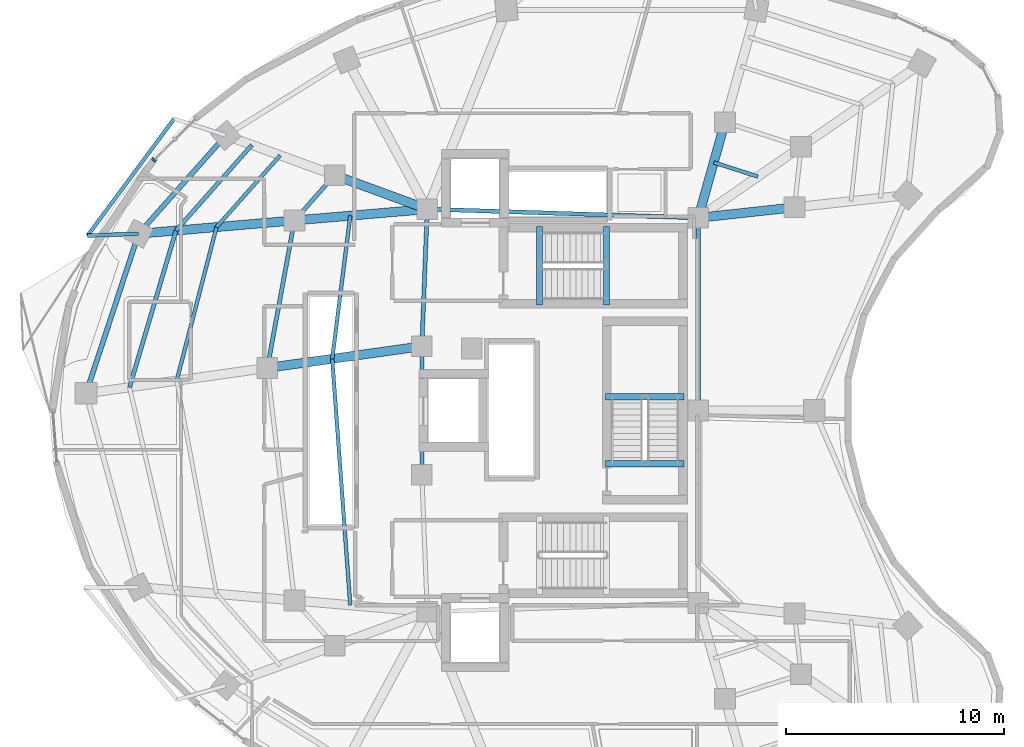
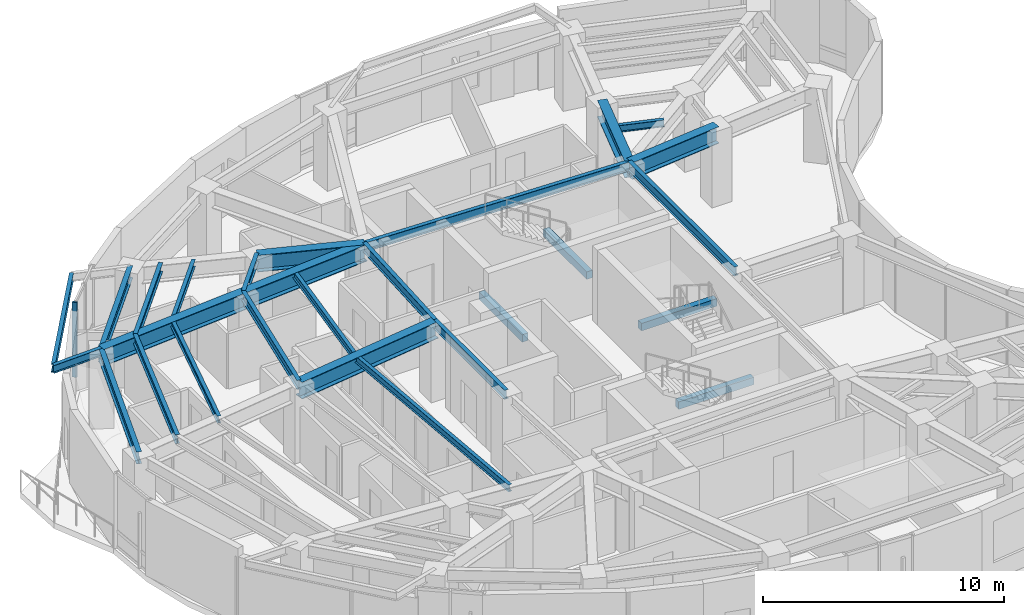
# One storey, part 3 of 13: 27 beams, 1 member, 1 element without a shape of its own.
"""IFC4 building model written with IfcOpenShell, lengths in metres."""

from ifc_helpers import new_model, si_unit, direction, frame, origin, origin_2d, place, context, subcontext, project, spatial, rectangle, i_section, extrude, material, layer, layer_set, material_profile, profile_set, type_object, element, aggregate, save


model = new_model("IFC4")

# Units and contexts
model_context = context("Model", 3, precision=1e-05, world=origin(), true_north=direction((0.0, 1.0)))
body_context = subcontext(model_context, "Body", "Model", "MODEL_VIEW")
ifc_project = project(units=[si_unit("LENGTHUNIT", "METRE"), si_unit("AREAUNIT", "SQUARE_METRE"), si_unit("VOLUMEUNIT", "CUBIC_METRE"), si_unit("PLANEANGLEUNIT", "RADIAN"), si_unit("MASSUNIT", "GRAM", prefix="KILO")], contexts=[model_context])

# Site, building, storey
site_placement = place(None, origin())
site = spatial("IfcSite", under=ifc_project, at=site_placement, CompositionType="ELEMENT")
building_placement = place(site_placement, origin())
building = spatial("IfcBuilding", under=site, at=building_placement, Name="Korentha Bioscience Tower", CompositionType="ELEMENT")
storey_placement = place(building_placement, frame((0.0, 0.0, 162.60009765625)))
storey = spatial("IfcBuildingStorey", under=building, at=storey_placement, Name="L37", CompositionType="ELEMENT", Elevation=162.60009765625)

# Beams
ifc_material_1 = material(Name="Concrete C50", Category="concrete")
ifc_material_profile_1 = material_profile(ifc_material_1, rectangle(XDim=0.280029296875, YDim=0.3798828125, at=origin_2d()), Name="Concrete C50")
ifc_profile_set_1 = profile_set([ifc_material_profile_1], Name="Concrete C50 (ST-HB380)")
beam_type_1 = type_object("IfcBeamType", Name="Concrete Stair Header Beam RC 280x380", PredefinedType="BEAM", material=ifc_profile_set_1)
for number, where, z_axis, x_axis, name in (
    (1, (30.25, 31.85009765625, -0.190185546875), (0.0, 1.0, 0.0), (-1.0, 0.0, 0.0), "L37 ST-1 Concrete Stair Header Beam"),
    (2, (33.330078125, 31.85009765625, 1.909912109375), (0.0, 1.0, 0.0), (-1.0, 0.0, 0.0), "L37 ST-1 Half-Landing Header Beam 1"),
    (3, (36.89990234375, 24.550048828125, -0.190185546875), (-1.0, 0.0, 0.0), (0.0, -1.0, 0.0), "L37 ST-3 Concrete Stair Header Beam"),
    (4, (36.89990234375, 27.6298828125, 1.909912109375), (-1.0, 0.0, 0.0), (0.0, -1.0, 0.0), "L37 ST-3 Half-Landing Header Beam 1"),
):
    element("IfcBeam", number, at=place(storey_placement, frame(where, z_axis=z_axis, x_axis=x_axis)), inside=storey, type_object=beam_type_1, Name=name, PredefinedType="BEAM", context=body_context, shape_type="SweptSolid", body=[
        extrude(rectangle(XDim=0.280029296875, YDim=0.3798828125, at=origin_2d()), origin(), (0.0, 0.0, 1.0), 3.599853515625),
    ])
ifc_material_2 = material(Name="Steel S355", Category="steel")
ifc_material_profile_2 = material_profile(ifc_material_2, i_section(OverallWidth=0.18994140625, OverallDepth=0.45703125, WebThickness=0.009033203125, FlangeThickness=0.014404296875, at=origin_2d()), Name="Steel S355")
ifc_profile_set_2 = profile_set([ifc_material_profile_2], Name="Steel S355 (MB-460)")
beam_type_2 = type_object("IfcBeamType", Name="Mid-Ring Tie Girder W460x74", PredefinedType="BEAM", material=ifc_profile_set_2)
beam_1_placement = place(storey_placement, frame((20.84228515625, 37.807861328125, 3.5615234375), z_axis=(-0.663512238321, -0.748165429299, 0.0), x_axis=(0.748165429299, -0.663512238321, 0.0)))
element("IfcBeam", 5, at=beam_1_placement, inside=storey, type_object=beam_type_2, Name="L37 Mid-Ring Tie Girder 05", PredefinedType="BEAM", context=body_context, shape_type="SweptSolid", body=[
    extrude(i_section(OverallWidth=0.18994140625, OverallDepth=0.45703125, WebThickness=0.009033203125, FlangeThickness=0.014404296875, at=origin_2d()), origin(), (0.0, 0.0, 1.0), 2.77734375),
])
beam_2_placement = place(storey_placement, frame((18.99951171875, 35.72998046875, 3.5615234375), z_axis=(-0.180880998363, -0.98350498953, 0.0), x_axis=(0.98350498953, -0.180880998363, 0.0)))
element("IfcBeam", 6, at=beam_2_placement, inside=storey, type_object=beam_type_2, Name="L37 Mid-Ring Tie Girder 06", PredefinedType="BEAM", context=body_context, shape_type="SweptSolid", body=[
    extrude(i_section(OverallWidth=0.18994140625, OverallDepth=0.45703125, WebThickness=0.009033203125, FlangeThickness=0.014404296875, at=origin_2d()), origin(), (0.0, 0.0, 1.0), 6.888916015625),
])
beam_3_placement = place(storey_placement, frame((37.550048828125, 35.85009765625, 3.5615234375), z_axis=(-0.999484526071, 0.032104238723, 0.0), x_axis=(-0.032104238723, -0.999484526071, 0.0)))
element("IfcBeam", 7, at=beam_3_placement, inside=storey, type_object=beam_type_2, Name="L37 Core Ring Tie Girder 01", PredefinedType="BEAM", context=body_context, shape_type="SweptSolid", body=[
    extrude(i_section(OverallWidth=0.18994140625, OverallDepth=0.45703125, WebThickness=0.009033203125, FlangeThickness=0.014404296875, at=origin_2d()), origin(), (0.0, 0.0, 1.0), 12.456298828125),
])
beam_4_placement = place(storey_placement, frame((25.10009765625, 36.25, 3.5615234375), z_axis=(-0.039651025576, -0.999213588864, 0.0), x_axis=(0.999213588864, -0.039651025576, 0.0)))
element("IfcBeam", 8, at=beam_4_placement, inside=storey, type_object=beam_type_2, Name="L37 Core Ring Tie Girder 02", PredefinedType="BEAM", context=body_context, shape_type="SweptSolid", body=[
    extrude(i_section(OverallWidth=0.18994140625, OverallDepth=0.45703125, WebThickness=0.009033203125, FlangeThickness=0.014404296875, at=origin_2d()), origin(), (0.0, 0.0, 1.0), 6.304931640625),
])
beam_5_placement = place(storey_placement, frame((24.85009765625, 29.949951171875, 3.5615234375), z_axis=(0.0, -1.0, 0.0), x_axis=(1.0, 0.0, 0.0)))
element("IfcBeam", 9, at=beam_5_placement, inside=storey, type_object=beam_type_2, Name="L37 Core Ring Tie Girder 03", PredefinedType="BEAM", context=body_context, shape_type="SweptSolid", body=[
    extrude(i_section(OverallWidth=0.18994140625, OverallDepth=0.45703125, WebThickness=0.009033203125, FlangeThickness=0.014404296875, at=origin_2d()), origin(), (0.0, 0.0, 1.0), 5.89990234375),
])
beam_6_placement = place(storey_placement, frame((37.550048828125, 27.0, 3.5615234375), z_axis=(0.0, 1.0, 0.0), x_axis=(-1.0, 0.0, 0.0)))
element("IfcBeam", 10, at=beam_6_placement, inside=storey, type_object=beam_type_2, Name="L37 Core Ring Tie Girder 07", PredefinedType="BEAM", context=body_context, shape_type="SweptSolid", body=[
    extrude(i_section(OverallWidth=0.18994140625, OverallDepth=0.45703125, WebThickness=0.009033203125, FlangeThickness=0.014404296875, at=origin_2d()), origin(), (0.0, 0.0, 1.0), 8.85009765625),
])

# Curtain wall, member
ifc_material_3 = material(Name="Thermally Broken Aluminium Frame", Category="aluminium")
ifc_layer = layer(ifc_material_3, 0.219970703125, Name="Thermally Broken Aluminium Frame")
ifc_layer_set = layer_set([ifc_layer], Name="Thermally Broken Aluminium Frame (CW-T1)")
curtain_wall_type = type_object("IfcCurtainWallType", Name="Standard Bioscience Lab Unitised Curtain Wall CW-T1", PredefinedType="USERDEFINED", material=ifc_layer_set)
curtain_wall_placement = place(storey_placement, origin())
curtain_wall = element("IfcCurtainWall", 11, at=curtain_wall_placement, inside=storey, type_object=curtain_wall_type, Name="L37 Curtain Wall 13", ObjectType="UNITISED", PredefinedType="USERDEFINED")
ifc_material_4 = material(Name="Anodised Aluminium 6063-T6", Category="aluminium")
ifc_material_profile_3 = material_profile(ifc_material_4, rectangle(XDim=0.090087890625, YDim=0.199951171875, at=origin_2d()), Name="Anodised Aluminium 6063-T6")
ifc_profile_set_3 = profile_set([ifc_material_profile_3], Name="Anodised Aluminium 6063-T6 (CW-MUL)")
member_type = type_object("IfcMemberType", Name="Mullion RECT 90x200", PredefinedType="MULLION", material=ifc_profile_set_3)
member_placement = place(storey_placement, frame((12.53515625, 38.502685546875, 0.0), z_axis=(0.0, 0.0, 1.0), x_axis=(-0.711460557971, -0.702726030862, 0.0)))
member = element("IfcMember", 12, at=member_placement, type_object=member_type, Name="CW-L37-13 Mullion 3", PredefinedType="MULLION", context=body_context, shape_type="SweptSolid", body=[
    extrude(rectangle(XDim=0.090087890625, YDim=0.199951171875, at=origin_2d()), origin(), (0.0, 0.0, 1.0), 3.789794921875),
])
aggregate(curtain_wall, [member])

# Beams
ifc_material_profile_4 = material_profile(ifc_material_2, i_section(OverallWidth=0.22802734375, OverallDepth=0.60791015625, WebThickness=0.01123046875, FlangeThickness=0.017333984375, at=origin_2d()), Name="Steel S355")
ifc_profile_set_4 = profile_set([ifc_material_profile_4], Name="Steel S355 (SB-610)")
beam_type_3 = type_object("IfcBeamType", Name="Perimeter Ring Spandrel Girder W610x113", PredefinedType="SPANDREL", material=ifc_profile_set_4)
beam_7_placement = place(storey_placement, frame((15.843994140625, 39.63671875, 3.48583984375), z_axis=(-0.663502544942, -0.748174025782, 0.0), x_axis=(0.748174025782, -0.663502544942, 0.0)))
element("IfcBeam", 13, at=beam_7_placement, inside=storey, type_object=beam_type_3, Name="L37 Perimeter Spandrel Girder 05", PredefinedType="SPANDREL", context=body_context, shape_type="SweptSolid", body=[
    extrude(i_section(OverallWidth=0.22802734375, OverallDepth=0.60791015625, WebThickness=0.01123046875, FlangeThickness=0.017333984375, at=origin_2d()), origin(), (0.0, 0.0, 1.0), 6.037841796875),
])
beam_8_placement = place(storey_placement, frame((11.837890625, 35.119384765625, 3.48583984375), z_axis=(-0.312820215824, -0.949812356506, 0.0), x_axis=(0.949812356506, -0.312820215824, 0.0)))
element("IfcBeam", 14, at=beam_8_placement, inside=storey, type_object=beam_type_3, Name="L37 Perimeter Spandrel Girder 06", PredefinedType="SPANDREL", context=body_context, shape_type="SweptSolid", body=[
    extrude(i_section(OverallWidth=0.22802734375, OverallDepth=0.60791015625, WebThickness=0.01123046875, FlangeThickness=0.017333984375, at=origin_2d()), origin(), (0.0, 0.0, 1.0), 7.720947265625),
])
ifc_material_profile_5 = material_profile(ifc_material_2, i_section(OverallWidth=0.419921875, OverallDepth=0.85009765625, WebThickness=0.01806640625, FlangeThickness=0.031982421875, at=origin_2d()), Name="Steel S355")
ifc_profile_set_5 = profile_set([ifc_material_profile_5], Name="Steel S355 (MB-850)")
beam_type_4 = type_object("IfcBeamType", Name="Plant Heavy Girder CVS 850x315", PredefinedType="BEAM", material=ifc_profile_set_5)
beam_9_placement = place(storey_placement, frame((37.550048828125, 35.85009765625, 3.364990234375), z_axis=(0.269477001654, 0.963006825303, 0.0), x_axis=(-0.963006825303, 0.269477001654, 0.0)))
element("IfcBeam", 15, at=beam_9_placement, inside=storey, type_object=beam_type_4, Name="L37 Inner Radial Girder 02", PredefinedType="BEAM", context=body_context, shape_type="SweptSolid", body=[
    extrude(i_section(OverallWidth=0.419921875, OverallDepth=0.85009765625, WebThickness=0.01806640625, FlangeThickness=0.031982421875, at=origin_2d()), origin(), (0.0, 0.0, 1.0), 4.559814453125),
])
beam_10_placement = place(storey_placement, frame((25.10009765625, 36.25, 3.364990234375), z_axis=(-0.939113952431, 0.343605856105, 0.0), x_axis=(-0.343605856105, -0.939113952431, 0.0)))
element("IfcBeam", 16, at=beam_10_placement, inside=storey, type_object=beam_type_4, Name="L37 Inner Radial Girder 05", PredefinedType="BEAM", context=body_context, shape_type="SweptSolid", body=[
    extrude(i_section(OverallWidth=0.419921875, OverallDepth=0.85009765625, WebThickness=0.01806640625, FlangeThickness=0.031982421875, at=origin_2d()), origin(), (0.0, 0.0, 1.0), 4.533935546875),
])
beam_11_placement = place(storey_placement, frame((25.10009765625, 36.25, 3.364990234375), z_axis=(-0.996386672138, -0.084932912264, 0.0), x_axis=(0.084932912264, -0.996386672138, 0.0)))
element("IfcBeam", 17, at=beam_11_placement, inside=storey, type_object=beam_type_4, Name="L37 Inner Radial Girder 06", PredefinedType="BEAM", context=body_context, shape_type="SweptSolid", body=[
    extrude(i_section(OverallWidth=0.419921875, OverallDepth=0.85009765625, WebThickness=0.01806640625, FlangeThickness=0.031982421875, at=origin_2d()), origin(), (0.0, 0.0, 1.0), 6.122802734375),
])
beam_12_placement = place(storey_placement, frame((18.99951171875, 35.72998046875, 3.364990234375), z_axis=(-0.996385111181, -0.084951222577, 0.0), x_axis=(0.084951222577, -0.996385111181, 0.0)))
element("IfcBeam", 18, at=beam_12_placement, inside=storey, type_object=beam_type_4, Name="L37 Outer Radial Girder 06", PredefinedType="BEAM", context=body_context, shape_type="SweptSolid", body=[
    extrude(i_section(OverallWidth=0.419921875, OverallDepth=0.85009765625, WebThickness=0.01806640625, FlangeThickness=0.031982421875, at=origin_2d()), origin(), (0.0, 0.0, 1.0), 7.1875),
])
beam_13_placement = place(storey_placement, frame((24.85009765625, 29.949951171875, 3.364990234375), z_axis=(-0.990306724295, -0.138897774699, 0.0), x_axis=(0.138897774699, -0.990306724295, 0.0)))
element("IfcBeam", 19, at=beam_13_placement, inside=storey, type_object=beam_type_4, Name="L37 Inner Radial Girder 07", PredefinedType="BEAM", context=body_context, shape_type="SweptSolid", body=[
    extrude(i_section(OverallWidth=0.419921875, OverallDepth=0.85009765625, WebThickness=0.01806640625, FlangeThickness=0.031982421875, at=origin_2d()), origin(), (0.0, 0.0, 1.0), 7.166259765625),
])
beam_14_placement = place(storey_placement, frame((37.550048828125, 35.85009765625, 3.364990234375), z_axis=(0.994118939953, 0.108293735857, 0.0), x_axis=(-0.108293735857, 0.994118939953, 0.0)))
element("IfcBeam", 20, at=beam_14_placement, inside=storey, type_object=beam_type_4, Name="L37 Inner Radial Girder 16", PredefinedType="BEAM", context=body_context, shape_type="SweptSolid", body=[
    extrude(i_section(OverallWidth=0.419921875, OverallDepth=0.85009765625, WebThickness=0.01806640625, FlangeThickness=0.031982421875, at=origin_2d()), origin(), (0.0, 0.0, 1.0), 4.4501953125),
])
ifc_material_profile_6 = material_profile(ifc_material_2, i_section(OverallWidth=0.18994140625, OverallDepth=0.45703125, WebThickness=0.009033203125, FlangeThickness=0.014404296875, at=origin_2d()), Name="Steel S355")
ifc_profile_set_6 = profile_set([ifc_material_profile_6], Name="Steel S355 (RB-460)")
beam_type_5 = type_object("IfcBeamType", Name="Radial Laboratory Beam W460x74", PredefinedType="BEAM", material=ifc_profile_set_6)
beam_15_placement = place(storey_placement, frame((17.043701171875, 39.197998046875, 3.5615234375), z_axis=(-0.663495511182, -0.748180263467, 0.0), x_axis=(0.748180263467, -0.663495511182, 0.0)))
element("IfcBeam", 21, at=beam_15_placement, inside=storey, type_object=beam_type_5, Name="L37 Secondary Floor Beam JSTO-05", PredefinedType="BEAM", context=body_context, shape_type="SweptSolid", body=[
    extrude(i_section(OverallWidth=0.18994140625, OverallDepth=0.45703125, WebThickness=0.009033203125, FlangeThickness=0.014404296875, at=origin_2d()), origin(), (0.0, 0.0, 1.0), 5.255615234375),
])
beam_16_placement = place(storey_placement, frame((13.556640625, 35.265869140625, 3.5615234375), z_axis=(-0.284283148615, -0.958740367051, 0.0), x_axis=(0.958740367051, -0.284283148615, 0.0)))
element("IfcBeam", 22, at=beam_16_placement, inside=storey, type_object=beam_type_5, Name="L37 Secondary Floor Beam JSTO-06", PredefinedType="BEAM", context=body_context, shape_type="SweptSolid", body=[
    extrude(i_section(OverallWidth=0.18994140625, OverallDepth=0.45703125, WebThickness=0.009033203125, FlangeThickness=0.014404296875, at=origin_2d()), origin(), (0.0, 0.0, 1.0), 7.50927734375),
])
ifc_material_profile_7 = material_profile(ifc_material_2, i_section(OverallWidth=0.1708984375, OverallDepth=0.35498046875, WebThickness=0.007080078125, FlangeThickness=0.01171875, at=origin_2d()), Name="Steel S355")
ifc_profile_set_7 = profile_set([ifc_material_profile_7], Name="Steel S355 (JB-360)")
beam_type_6 = type_object("IfcBeamType", Name="Secondary Laboratory Joist W360x51", PredefinedType="JOIST", material=ifc_profile_set_7)
beam_17_placement = place(storey_placement, frame((40.290283203125, 37.7451171875, 3.6123046875), z_axis=(-0.952010669267, 0.306064838885, 0.0), x_axis=(-0.306064838885, -0.952010669267, 0.0)))
element("IfcBeam", 23, at=beam_17_placement, inside=storey, type_object=beam_type_6, Name="L37 Inner Bay Joist 01", PredefinedType="JOIST", context=body_context, shape_type="SweptSolid", body=[
    extrude(i_section(OverallWidth=0.1708984375, OverallDepth=0.35498046875, WebThickness=0.007080078125, FlangeThickness=0.01171875, at=origin_2d()), origin(), (0.0, 0.0, 1.0), 2.1298828125),
])
beam_18_placement = place(storey_placement, frame((18.343017578125, 38.722412109375, 3.6123046875), z_axis=(-0.663462598754, -0.748209449322, 0.0), x_axis=(0.748209449322, -0.663462598754, 0.0)))
element("IfcBeam", 24, at=beam_18_placement, inside=storey, type_object=beam_type_6, Name="L37 Secondary Floor Beam JST-05", PredefinedType="JOIST", context=body_context, shape_type="SweptSolid", body=[
    extrude(i_section(OverallWidth=0.1708984375, OverallDepth=0.35498046875, WebThickness=0.007080078125, FlangeThickness=0.01171875, at=origin_2d()), origin(), (0.0, 0.0, 1.0), 4.40771484375),
])
beam_19_placement = place(storey_placement, frame((15.418701171875, 35.424560546875, 3.6123046875), z_axis=(-0.251203958933, -0.967934177006, 0.0), x_axis=(0.967934177006, -0.251203958933, 0.0)))
element("IfcBeam", 25, at=beam_19_placement, inside=storey, type_object=beam_type_6, Name="L37 Secondary Floor Beam JST-06", PredefinedType="JOIST", context=body_context, shape_type="SweptSolid", body=[
    extrude(i_section(OverallWidth=0.1708984375, OverallDepth=0.35498046875, WebThickness=0.007080078125, FlangeThickness=0.01171875, at=origin_2d()), origin(), (0.0, 0.0, 1.0), 7.2880859375),
])
beam_20_placement = place(storey_placement, frame((21.561767578125, 35.9482421875, 3.6123046875), z_axis=(-0.124914239886, -0.992167542643, 0.0), x_axis=(0.992167542643, -0.124914239886, 0.0)))
element("IfcBeam", 26, at=beam_20_placement, inside=storey, type_object=beam_type_6, Name="L37 Inner Bay Joist 06", PredefinedType="JOIST", context=body_context, shape_type="SweptSolid", body=[
    extrude(i_section(OverallWidth=0.1708984375, OverallDepth=0.35498046875, WebThickness=0.007080078125, FlangeThickness=0.01171875, at=origin_2d()), origin(), (0.0, 0.0, 1.0), 6.627685546875),
])
beam_21_placement = place(storey_placement, frame((20.73388671875, 29.37255859375, 3.6123046875), z_axis=(0.072934416258, -0.997336738983, 0.0), x_axis=(0.997336738983, 0.072934416258, 0.0)))
element("IfcBeam", 27, at=beam_21_placement, inside=storey, type_object=beam_type_6, Name="L37 Inner Bay Joist 07", PredefinedType="JOIST", context=body_context, shape_type="SweptSolid", body=[
    extrude(i_section(OverallWidth=0.1708984375, OverallDepth=0.35498046875, WebThickness=0.007080078125, FlangeThickness=0.01171875, at=origin_2d()), origin(), (0.0, 0.0, 1.0), 11.35107421875),
])
ifc_material_profile_8 = material_profile(ifc_material_2, i_section(OverallWidth=0.177978515625, OverallDepth=0.406982421875, WebThickness=0.0078125, FlangeThickness=0.0126953125, at=origin_2d()), Name="Steel S355")
ifc_profile_set_8 = profile_set([ifc_material_profile_8], Name="Steel S355 (CB-410)")
beam_type_7 = type_object("IfcBeamType", Name="Sun-Ledge Cantilever Beam W410x60", PredefinedType="BEAM", material=ifc_profile_set_8)
beam_22_placement = place(storey_placement, frame((11.837890625, 35.119384765625, 3.58837890625), z_axis=(-0.999315262024, -0.037000095747, 0.0), x_axis=(0.037000095747, -0.999315262024, 0.0)))
element("IfcBeam", 28, at=beam_22_placement, inside=storey, type_object=beam_type_7, Name="L37 Balcony Cantilever Bracket B-L38-02", PredefinedType="BEAM", context=body_context, shape_type="SweptSolid", body=[
    extrude(i_section(OverallWidth=0.177978515625, OverallDepth=0.406982421875, WebThickness=0.0078125, FlangeThickness=0.0126953125, at=origin_2d()), origin(), (0.0, 0.0, 1.0), 2.342529296875),
])
beam_23_placement = place(storey_placement, frame((13.47412109375, 40.404296875, 3.58837890625), z_axis=(-0.595044085343, -0.803693061124, 0.0), x_axis=(0.803693061124, -0.595044085343, 0.0)))
element("IfcBeam", 29, at=beam_23_placement, inside=storey, type_object=beam_type_7, Name="L37 Balcony Edge Trimmer Beam L38-02", PredefinedType="BEAM", context=body_context, shape_type="SweptSolid", body=[
    extrude(i_section(OverallWidth=0.177978515625, OverallDepth=0.406982421875, WebThickness=0.0078125, FlangeThickness=0.0126953125, at=origin_2d()), origin(), (0.0, 0.0, 1.0), 6.68359375),
])

save(model, "model.ifc")
